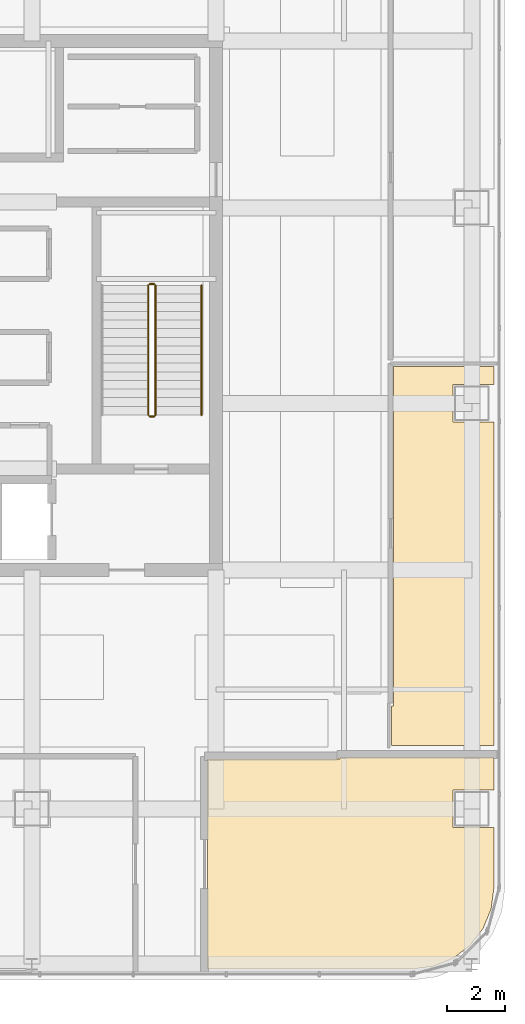
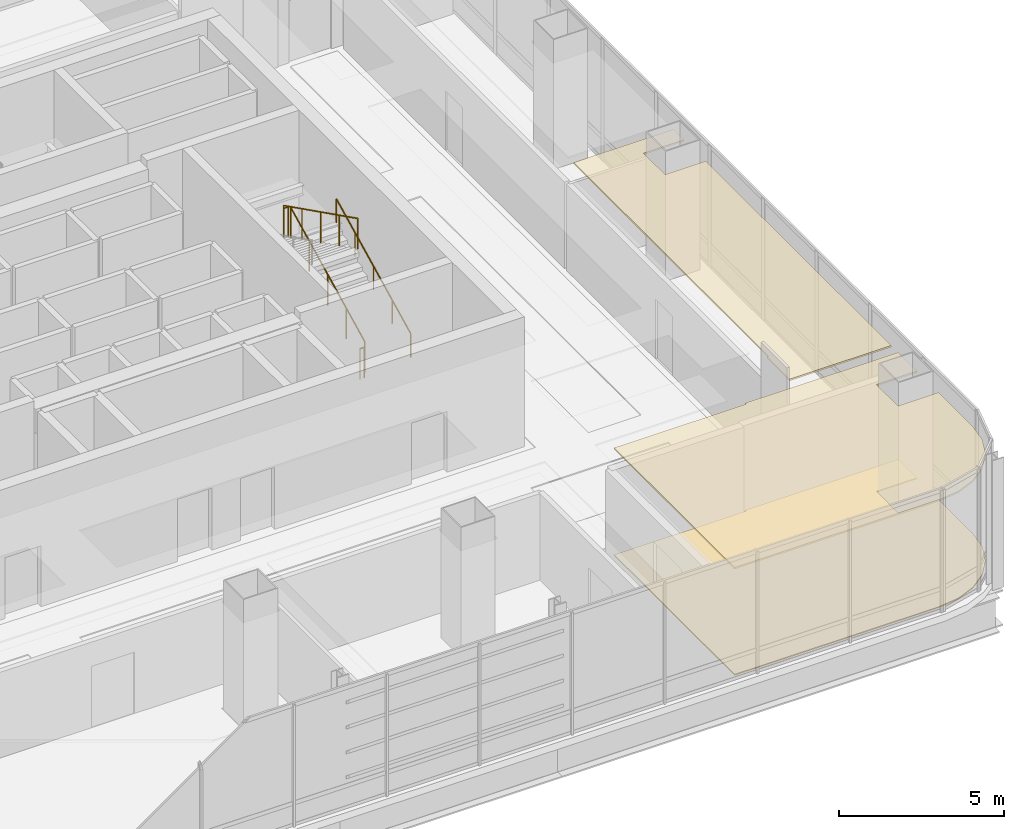
# One storey, part 44 of 45: 5 railings, 3 coverings.
"""IFC4 building model written with IfcOpenShell, lengths in metres."""

from ifc_helpers import new_model, si_unit, direction, frame, origin, origin_2d, place, context, subcontext, project, spatial, polyline, circle, outline, extrude, material, layer, layer_set, type_object, element, save


model = new_model("IFC4")

# Units and contexts
model_context = context("Model", 3, precision=1e-05, world=origin(), true_north=direction((0.0, 1.0)))
body_context = subcontext(model_context, "Body", "Model", "MODEL_VIEW")
ifc_project = project(units=[si_unit("LENGTHUNIT", "METRE"), si_unit("AREAUNIT", "SQUARE_METRE"), si_unit("VOLUMEUNIT", "CUBIC_METRE"), si_unit("PLANEANGLEUNIT", "RADIAN"), si_unit("MASSUNIT", "GRAM", prefix="KILO")], contexts=[model_context])

# Site, building, storey
site_placement = place(None, origin())
site = spatial("IfcSite", under=ifc_project, at=site_placement, CompositionType="ELEMENT")
building_placement = place(site_placement, origin())
building = spatial("IfcBuilding", under=site, at=building_placement, Name="Punatoya Terracotta Tower", CompositionType="ELEMENT")
storey_placement = place(building_placement, frame((0.0, 0.0, 339.0)))
storey = spatial("IfcBuildingStorey", under=building, at=storey_placement, Name="L80", CompositionType="ELEMENT", Elevation=339.0)

# Coverings
ifc_material_1 = material(Name="Acoustic Mineral Fibre Ceiling")
ifc_layer_1 = layer(ifc_material_1, 0.06005859375)
ifc_layer_set_1 = layer_set([ifc_layer_1], Name="Acoustic Mineral Fibre Ceiling")
covering_type_1 = type_object("IfcCoveringType", Name="COV-CEIL-60", PredefinedType="CEILING", material=ifc_layer_set_1)
covering_1_placement = place(storey_placement, frame((0.0, 0.0, 3.929931640625)))
element("IfcCovering", 1, at=covering_1_placement, inside=storey, type_object=covering_type_1, Name="L80 Open-Plan Visitors' Sky Cafe and Bistro Acoustic Ceiling", PredefinedType="CEILING", context=body_context, shape_type="SweptSolid", body=[
    extrude(outline(polyline([(14.52001953125, -15.77001953125), (9.89990234375, -15.77001953125), (9.89990234375, -23.070068359375), (17.025146484375, -23.070068359375), (17.779052734375, -22.970703125), (18.458251953125, -22.689453125), (19.041748046875, -22.24169921875), (19.489501953125, -21.658203125), (19.770751953125, -20.97900390625), (19.8701171875, -20.22509765625), (19.8701171875, -18.14990234375), (18.449951171875, -18.14990234375), (18.449951171875, -16.85009765625), (19.8701171875, -16.85009765625), (19.8701171875, -15.7099609375), (14.52001953125, -15.7099609375), (14.52001953125, -15.77001953125)])), origin(), (0.0, 0.0, 1.0), 0.06005859375),
])
covering_2_placement = place(storey_placement, frame((0.0, 0.0, 3.929931640625)))
element("IfcCovering", 2, at=covering_2_placement, inside=storey, type_object=covering_type_1, Name="L80 Open-Plan Public Lookout Seminar Room Acoustic Ceiling", PredefinedType="CEILING", context=body_context, shape_type="SweptSolid", body=[
    extrude(outline(polyline([(16.31005859375, -13.919921875), (16.31005859375, -15.2900390625), (19.8701171875, -15.2900390625), (19.8701171875, -4.050048828125), (18.449951171875, -4.050048828125), (18.449951171875, -2.75), (19.8701171875, -2.75), (19.8701171875, -2.110107421875), (16.3701171875, -2.110107421875), (16.3701171875, -13.919921875), (16.31005859375, -13.919921875)])), origin(), (0.0, 0.0, 1.0), 0.06005859375),
])
ifc_material_2 = material(Name="Sandstone & Raised Access Flooring", Category="masonry")
ifc_layer_2 = layer(ifc_material_2, 0.080078125)
ifc_layer_set_2 = layer_set([ifc_layer_2], Name="Sandstone & Raised Access Flooring")
covering_type_2 = type_object("IfcCoveringType", Name="COV-FLR-80", PredefinedType="FLOORING", material=ifc_layer_set_2)
covering_3_placement = place(storey_placement, origin())
element("IfcCovering", 3, at=covering_3_placement, inside=storey, type_object=covering_type_2, Name="L80 Open-Plan Visitors' Sky Cafe and Bistro Stone Floor Finish", PredefinedType="FLOORING", context=body_context, shape_type="SweptSolid", body=[
    extrude(outline(polyline([(14.52001953125, -15.77001953125), (9.89990234375, -15.77001953125), (9.89990234375, -23.070068359375), (17.025146484375, -23.070068359375), (17.779052734375, -22.970703125), (18.458251953125, -22.689453125), (19.041748046875, -22.24169921875), (19.489501953125, -21.658203125), (19.770751953125, -20.97900390625), (19.8701171875, -20.22509765625), (19.8701171875, -18.14990234375), (18.449951171875, -18.14990234375), (18.449951171875, -16.85009765625), (19.8701171875, -16.85009765625), (19.8701171875, -15.7099609375), (14.52001953125, -15.7099609375), (14.52001953125, -15.77001953125)])), origin(), (0.0, 0.0, 1.0), 0.0400390625),
])

# Railings
ifc_material_3 = material(Name="Steel S355", Category="steel")
railing_type_1 = type_object("IfcRailingType", Name="RLG-GRD-1150", PredefinedType="GUARDRAIL", material=ifc_material_3)
railing_1_placement = place(storey_placement, frame((8.10009765625, -3.800048828125, 0.14990234375)))
element("IfcRailing", 4, at=railing_1_placement, inside=storey, type_object=railing_type_1, Name="L80 ST-2 stair guard 1", PredefinedType="GUARDRAIL", context=body_context, shape_type="SweptSolid", body=[
    extrude(circle(Radius=0.02392578125, at=origin_2d()), frame((0.0, 0.0, 1.1259765625), z_axis=(0.0, 0.894427191, 0.4472135955), x_axis=(-1.0, 0.0, 0.0)), (0.0, 0.0, 1.0), 5.03125),
    extrude(circle(Radius=0.02099609375, at=origin_2d()), origin(), (0.0, 0.0, 1.0), 1.101806640625),
    extrude(circle(Radius=0.02099609375, at=origin_2d()), frame((0.0, 1.125, 0.5625)), (0.0, 0.0, 1.0), 1.101806640625),
    extrude(circle(Radius=0.02099609375, at=origin_2d()), frame((0.0, 2.25, 1.125)), (0.0, 0.0, 1.0), 1.101806640625),
    extrude(circle(Radius=0.02099609375, at=origin_2d()), frame((0.0, 3.375, 1.6875)), (0.0, 0.0, 1.0), 1.101806640625),
    extrude(circle(Radius=0.02099609375, at=origin_2d()), frame((0.0, 4.5, 2.25)), (0.0, 0.0, 1.0), 1.101806640625),
])
railing_2_placement = place(storey_placement, frame((8.050048828125, 0.75, 2.39990234375)))
element("IfcRailing", 5, at=railing_2_placement, inside=storey, type_object=railing_type_1, Name="L80 ST-2 stair guard 2", PredefinedType="GUARDRAIL", context=body_context, shape_type="SweptSolid", body=[
    extrude(circle(Radius=0.02392578125, at=origin_2d()), frame((0.0, 0.0, 1.1259765625), z_axis=(-1.0, 0.0, 0.0), x_axis=(0.0, -1.0, 0.0)), (0.0, 0.0, 1.0), 0.150146484375),
    extrude(circle(Radius=0.02099609375, at=origin_2d()), origin(), (0.0, 0.0, 1.0), 1.101806640625),
    extrude(circle(Radius=0.02099609375, at=origin_2d()), frame((-0.150146484375, 0.0, 0.0)), (0.0, 0.0, 1.0), 1.101806640625),
])
railing_3_placement = place(storey_placement, frame((7.85009765625, 0.699951171875, 2.550048828125)))
element("IfcRailing", 6, at=railing_3_placement, inside=storey, type_object=railing_type_1, Name="L80 ST-2 stair guard 3", PredefinedType="GUARDRAIL", context=body_context, shape_type="SweptSolid", body=[
    extrude(circle(Radius=0.02392578125, at=origin_2d()), frame((0.0, 0.0, 1.1259765625), z_axis=(0.0, -0.894427191, 0.4472135955), x_axis=(1.0, 0.0, 0.0)), (0.0, 0.0, 1.0), 5.03125),
    extrude(circle(Radius=0.02099609375, at=origin_2d()), origin(), (0.0, 0.0, 1.0), 1.101806640625),
    extrude(circle(Radius=0.02099609375, at=origin_2d()), frame((0.0, -1.125, 0.5625)), (0.0, 0.0, 1.0), 1.101806640625),
    extrude(circle(Radius=0.02099609375, at=origin_2d()), frame((0.0, -2.25, 1.125)), (0.0, 0.0, 1.0), 1.101806640625),
    extrude(circle(Radius=0.02099609375, at=origin_2d()), frame((0.0, -3.375, 1.6875)), (0.0, 0.0, 1.0), 1.101806640625),
    extrude(circle(Radius=0.02099609375, at=origin_2d()), frame((0.0, -4.5, 2.25)), (0.0, 0.0, 1.0), 1.101806640625),
])
railing_4_placement = place(storey_placement, frame((8.050048828125, -3.85009765625, 0.0)))
element("IfcRailing", 7, at=railing_4_placement, inside=storey, type_object=railing_type_1, Name="L80 ST-2 stair guard 4", PredefinedType="GUARDRAIL", context=body_context, shape_type="SweptSolid", body=[
    extrude(circle(Radius=0.02392578125, at=origin_2d()), frame((0.0, 0.0, 1.1259765625), z_axis=(-1.0, 0.0, 0.0), x_axis=(0.0, -1.0, 0.0)), (0.0, 0.0, 1.0), 0.150146484375),
    extrude(circle(Radius=0.02099609375, at=origin_2d()), origin(), (0.0, 0.0, 1.0), 1.101806640625),
    extrude(circle(Radius=0.02099609375, at=origin_2d()), frame((-0.150146484375, 0.0, 0.0)), (0.0, 0.0, 1.0), 1.101806640625),
])
railing_type_2 = type_object("IfcRailingType", Name="RLG-HND-900", PredefinedType="HANDRAIL", material=ifc_material_3)
railing_5_placement = place(storey_placement, frame((9.699951171875, -3.800048828125, 0.14990234375)))
element("IfcRailing", 8, at=railing_5_placement, inside=storey, type_object=railing_type_2, Name="L80 ST-2 stair handrail 1", PredefinedType="HANDRAIL", context=body_context, shape_type="SweptSolid", body=[
    extrude(circle(Radius=0.02392578125, at=origin_2d()), frame((0.0, 0.0, 0.8759765625), z_axis=(0.0, 0.894427191, 0.4472135955), x_axis=(-1.0, 0.0, 0.0)), (0.0, 0.0, 1.0), 5.03125),
    extrude(circle(Radius=0.02099609375, at=origin_2d()), origin(), (0.0, 0.0, 1.0), 0.851806640625),
    extrude(circle(Radius=0.02099609375, at=origin_2d()), frame((0.0, 1.125, 0.5625)), (0.0, 0.0, 1.0), 0.851806640625),
    extrude(circle(Radius=0.02099609375, at=origin_2d()), frame((0.0, 2.25, 1.125)), (0.0, 0.0, 1.0), 0.851806640625),
    extrude(circle(Radius=0.02099609375, at=origin_2d()), frame((0.0, 3.375, 1.6875)), (0.0, 0.0, 1.0), 0.851806640625),
    extrude(circle(Radius=0.02099609375, at=origin_2d()), frame((0.0, 4.5, 2.25)), (0.0, 0.0, 1.0), 0.851806640625),
])

save(model, "model.ifc")
